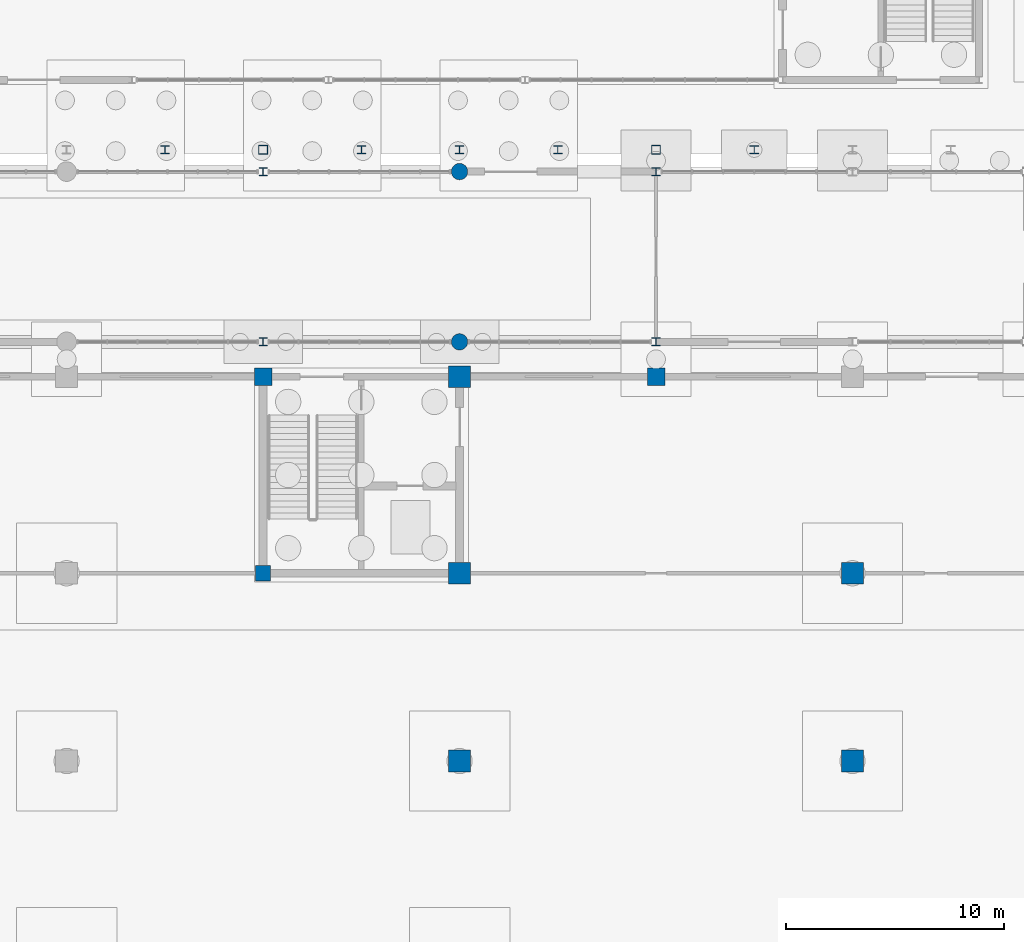
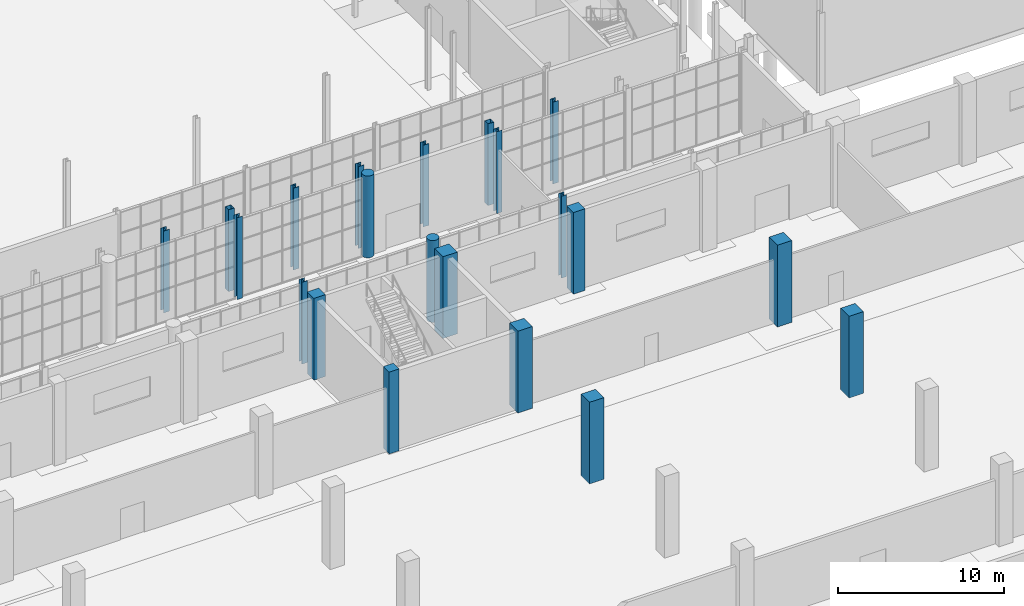
# One storey, part 27 of 131: 21 columns.
"""IFC4 building model written with IfcOpenShell, lengths in metres."""

from ifc_helpers import new_model, si_unit, direction, frame, origin, origin_2d, place, context, subcontext, project, spatial, rectangle, hollow_rectangle, circle, i_section, extrude, material, material_profile, profile_set, type_object, element, save


model = new_model("IFC4")

# Units and contexts
model_context = context("Model", 3, precision=1e-05, world=origin(), true_north=direction((0.0, 1.0)))
body_context = subcontext(model_context, "Body", "Model", "MODEL_VIEW")
ifc_project = project(units=[si_unit("LENGTHUNIT", "METRE"), si_unit("AREAUNIT", "SQUARE_METRE"), si_unit("VOLUMEUNIT", "CUBIC_METRE"), si_unit("PLANEANGLEUNIT", "RADIAN"), si_unit("MASSUNIT", "GRAM", prefix="KILO")], contexts=[model_context])

# Site, building, storey
site_placement = place(None, origin())
site = spatial("IfcSite", under=ifc_project, at=site_placement, CompositionType="ELEMENT")
building_placement = place(site_placement, origin())
building = spatial("IfcBuilding", under=site, at=building_placement, Name="Cazmaro Siding Exhibition Halls", CompositionType="ELEMENT")
storey_placement = place(building_placement, origin())
storey = spatial("IfcBuildingStorey", under=building, at=storey_placement, Name="L00", CompositionType="ELEMENT", Elevation=0.0)

# Columns
ifc_material_1 = material(Name="Steel ASTM A992 Grade 50", Category="steel")
ifc_material_profile_1 = material_profile(ifc_material_1, i_section(OverallWidth=0.39208984375, OverallDepth=0.3759765625, WebThickness=0.01708984375, FlangeThickness=0.028076171875, at=origin_2d()), Name="W14X145")
ifc_profile_set_1 = profile_set([ifc_material_profile_1], Name="Steel ASTM A992 Grade 50")
column_type_1 = type_object("IfcColumnType", Name="C-03", PredefinedType="COLUMN", material=ifc_profile_set_1)
for number, where, z_axis, x_axis, name in (
    (1, (130.5, 64.0, 0.0), (0.0, 0.0, 1.0), (1.0, 0.0, 0.0), "Column C-03 COL-0115"),
    (2, (139.5, 64.0, 0.0), (0.0, 0.0, 1.0), (1.0, 0.0, 0.0), "Column C-03 COL-0127"),
    (3, (148.5, 64.0, 0.0), (0.0, 0.0, 1.0), (1.0, 0.0, 0.0), "Column C-03 COL-0139"),
    (4, (157.5, 64.0, 0.0), (0.0, 0.0, 1.0), (1.0, 0.0, 0.0), "Column C-03 COL-0151"),
):
    element("IfcColumn", number, at=place(storey_placement, frame(where, z_axis=z_axis, x_axis=x_axis)), inside=storey, type_object=column_type_1, Name=name, PredefinedType="COLUMN", context=body_context, shape_type="SweptSolid", body=[
        extrude(i_section(OverallWidth=0.39208984375, OverallDepth=0.3759765625, WebThickness=0.01708984375, FlangeThickness=0.028076171875, at=origin_2d()), origin(), (0.0, 0.0, 1.0), 6.0),
    ])
ifc_material_2 = material(Name="Concrete f'c 45 MPa", Category="concrete")
ifc_material_profile_2 = material_profile(ifc_material_2, rectangle(XDim=1.0, YDim=1.0, at=origin_2d()), Name="RC1000X1000")
ifc_profile_set_2 = profile_set([ifc_material_profile_2], Name="Concrete f'c 45 MPa")
column_type_2 = type_object("IfcColumnType", Name="C-07", PredefinedType="COLUMN", material=ifc_profile_set_2)
for number, where, z_axis, x_axis, name in (
    (5, (144.0, 36.0, 0.0), (0.0, 0.0, 1.0), (1.0, 0.0, 0.0), "Column C-07 COL-0511"),
    (6, (144.0, 44.60009765625, 0.0), (0.0, 0.0, 1.0), (1.0, 0.0, 0.0), "Column C-07 COL-0513"),
    (7, (144.0, 53.60009765625, 0.0), (0.0, 0.0, 1.0), (1.0, 0.0, 0.0), "Column C-07 COL-0515"),
    (8, (162.0, 36.0, 0.0), (0.0, 0.0, 1.0), (1.0, 0.0, 0.0), "Column C-07 COL-0523"),
    (9, (162.0, 44.60009765625, 0.0), (0.0, 0.0, 1.0), (1.0, 0.0, 0.0), "Column C-07 COL-0525"),
):
    element("IfcColumn", number, at=place(storey_placement, frame(where, z_axis=z_axis, x_axis=x_axis)), inside=storey, type_object=column_type_2, Name=name, PredefinedType="COLUMN", context=body_context, shape_type="SweptSolid", body=[
        extrude(rectangle(XDim=1.0, YDim=1.0, at=origin_2d()), origin(), (0.0, 0.0, 1.0), 6.0),
    ])
ifc_material_3 = material(Name="Concrete f'c 45 MPa", Category="concrete")
ifc_material_profile_3 = material_profile(ifc_material_3, rectangle(XDim=0.800048828125, YDim=0.800048828125, at=origin_2d()), Name="RC800X800")
ifc_profile_set_3 = profile_set([ifc_material_profile_3], Name="Concrete f'c 45 MPa")
column_type_3 = type_object("IfcColumnType", Name="C-08", PredefinedType="COLUMN", material=ifc_profile_set_3)
for number, where, z_axis, x_axis, name in (
    (10, (135.0, 53.60009765625, 0.0), (0.0, 0.0, 1.0), (1.0, 0.0, 0.0), "Column C-08 COL-0609"),
    (11, (153.0, 53.60009765625, 0.0), (0.0, 0.0, 1.0), (1.0, 0.0, 0.0), "Column C-08 COL-0621"),
):
    element("IfcColumn", number, at=place(storey_placement, frame(where, z_axis=z_axis, x_axis=x_axis)), inside=storey, type_object=column_type_3, Name=name, PredefinedType="COLUMN", context=body_context, shape_type="SweptSolid", body=[
        extrude(rectangle(XDim=0.800048828125, YDim=0.800048828125, at=origin_2d()), origin(), (0.0, 0.0, 1.0), 6.0),
    ])
ifc_material_4 = material(Name="Steel ASTM A992 Grade 50", Category="steel")
ifc_material_profile_4 = material_profile(ifc_material_4, i_section(OverallWidth=0.39892578125, OverallDepth=0.386962890625, WebThickness=0.02099609375, FlangeThickness=0.032958984375, at=origin_2d()), Name="W14X176")
ifc_profile_set_4 = profile_set([ifc_material_profile_4], Name="Steel ASTM A992 Grade 50")
column_type_4 = type_object("IfcColumnType", Name="C-11", PredefinedType="COLUMN", material=ifc_profile_set_4)
column_1_placement = place(storey_placement, frame((144.0, 64.0, 0.0), z_axis=(0.0, 0.0, 1.0), x_axis=(1.0, 0.0, 0.0)))
element("IfcColumn", 12, at=column_1_placement, inside=storey, type_object=column_type_4, Name="Column C-11 COL-0133", PredefinedType="COLUMN", context=body_context, shape_type="SweptSolid", body=[
    extrude(i_section(OverallWidth=0.39892578125, OverallDepth=0.386962890625, WebThickness=0.02099609375, FlangeThickness=0.032958984375, at=origin_2d()), origin(), (0.0, 0.0, 1.0), 6.0),
])
ifc_material_5 = material(Name="Steel ASTM A992 Grade 50", Category="steel")
ifc_material_profile_5 = material_profile(ifc_material_5, i_section(OverallWidth=0.37109375, OverallDepth=0.364013671875, WebThickness=0.012939453125, FlangeThickness=0.02197265625, at=origin_2d()), Name="W14X109")
ifc_profile_set_5 = profile_set([ifc_material_profile_5], Name="Steel ASTM A992 Grade 50")
column_type_5 = type_object("IfcColumnType", Name="C-12", PredefinedType="COLUMN", material=ifc_profile_set_5)
for number, where, z_axis, x_axis, name in (
    (13, (135.0, 55.199951171875, 0.0), (0.0, 0.0, 1.0), (1.0, 0.0, 0.0), "Column C-12 COL-0771"),
    (14, (135.0, 63.0, 0.0), (0.0, 0.0, 1.0), (1.0, 0.0, 0.0), "Column C-12 COL-0774"),
    (15, (153.0, 55.199951171875, 0.0), (0.0, 0.0, 1.0), (1.0, 0.0, 0.0), "Column C-12 COL-0783"),
    (16, (153.0, 63.0, 0.0), (0.0, 0.0, 1.0), (1.0, 0.0, 0.0), "Column C-12 COL-0786"),
):
    element("IfcColumn", number, at=place(storey_placement, frame(where, z_axis=z_axis, x_axis=x_axis)), inside=storey, type_object=column_type_5, Name=name, PredefinedType="COLUMN", context=body_context, shape_type="SweptSolid", body=[
        extrude(i_section(OverallWidth=0.37109375, OverallDepth=0.364013671875, WebThickness=0.012939453125, FlangeThickness=0.02197265625, at=origin_2d()), origin(), (0.0, 0.0, 1.0), 6.0),
    ])
ifc_material_6 = material(Name="Concrete f'c 45 MPa", Category="concrete")
ifc_material_profile_6 = material_profile(ifc_material_6, rectangle(XDim=0.699951171875, YDim=0.699951171875, at=origin_2d()), Name="RC700X700")
ifc_profile_set_6 = profile_set([ifc_material_profile_6], Name="Concrete f'c 45 MPa")
column_type_6 = type_object("IfcColumnType", Name="C-15", PredefinedType="COLUMN", material=ifc_profile_set_6)
column_2_placement = place(storey_placement, frame((135.0, 44.60009765625, 0.0), z_axis=(0.0, 0.0, 1.0), x_axis=(1.0, 0.0, 0.0)))
element("IfcColumn", 17, at=column_2_placement, inside=storey, type_object=column_type_6, Name="Column C-15 COL-0659", PredefinedType="COLUMN", context=body_context, shape_type="SweptSolid", body=[
    extrude(rectangle(XDim=0.699951171875, YDim=0.699951171875, at=origin_2d()), origin(), (0.0, 0.0, 1.0), 6.0),
])
ifc_material_7 = material(Name="Steel ASTM A500 Grade C", Category="steel")
ifc_material_profile_7 = material_profile(ifc_material_7, hollow_rectangle(XDim=0.406005859375, YDim=0.406005859375, WallThickness=0.014892578125, at=origin_2d()), Name="HSS16X16X5/8")
ifc_profile_set_7 = profile_set([ifc_material_profile_7], Name="Steel ASTM A500 Grade C")
column_type_7 = type_object("IfcColumnType", Name="PL-01", PredefinedType="PILASTER", material=ifc_profile_set_7)
for number, where, z_axis, x_axis, name in (
    (18, (135.0, 64.0, 0.0), (0.0, 0.0, 1.0), (1.0, 0.0, 0.0), "Column PL-01 COL-0121"),
    (19, (153.0, 64.0, 0.0), (0.0, 0.0, 1.0), (1.0, 0.0, 0.0), "Column PL-01 COL-0145"),
):
    element("IfcColumn", number, at=place(storey_placement, frame(where, z_axis=z_axis, x_axis=x_axis)), inside=storey, type_object=column_type_7, Name=name, PredefinedType="PILASTER", context=body_context, shape_type="SweptSolid", body=[
        extrude(hollow_rectangle(XDim=0.406005859375, YDim=0.406005859375, WallThickness=0.014892578125, at=origin_2d()), origin(), (0.0, 0.0, 1.0), 6.0),
    ])
ifc_material_8 = material(Name="Concrete f'c 45 MPa", Category="concrete")
ifc_material_profile_8 = material_profile(ifc_material_8, circle(Radius=0.375, at=origin_2d()), Name="RC750DIA")
ifc_profile_set_8 = profile_set([ifc_material_profile_8], Name="Concrete f'c 45 MPa")
column_type_8 = type_object("IfcColumnType", Name="PL-03", PredefinedType="PILASTER", material=ifc_profile_set_8)
for number, where, z_axis, x_axis, name in (
    (20, (144.0, 55.199951171875, 0.0), (0.0, 0.0, 1.0), (1.0, 0.0, 0.0), "Column PL-03 COL-0777"),
    (21, (144.0, 63.0, 0.0), (0.0, 0.0, 1.0), (1.0, 0.0, 0.0), "Column PL-03 COL-0780"),
):
    element("IfcColumn", number, at=place(storey_placement, frame(where, z_axis=z_axis, x_axis=x_axis)), inside=storey, type_object=column_type_8, Name=name, PredefinedType="PILASTER", context=body_context, shape_type="SweptSolid", body=[
        extrude(circle(Radius=0.375, at=origin_2d()), origin(), (0.0, 0.0, 1.0), 6.0),
    ])

save(model, "model.ifc")
